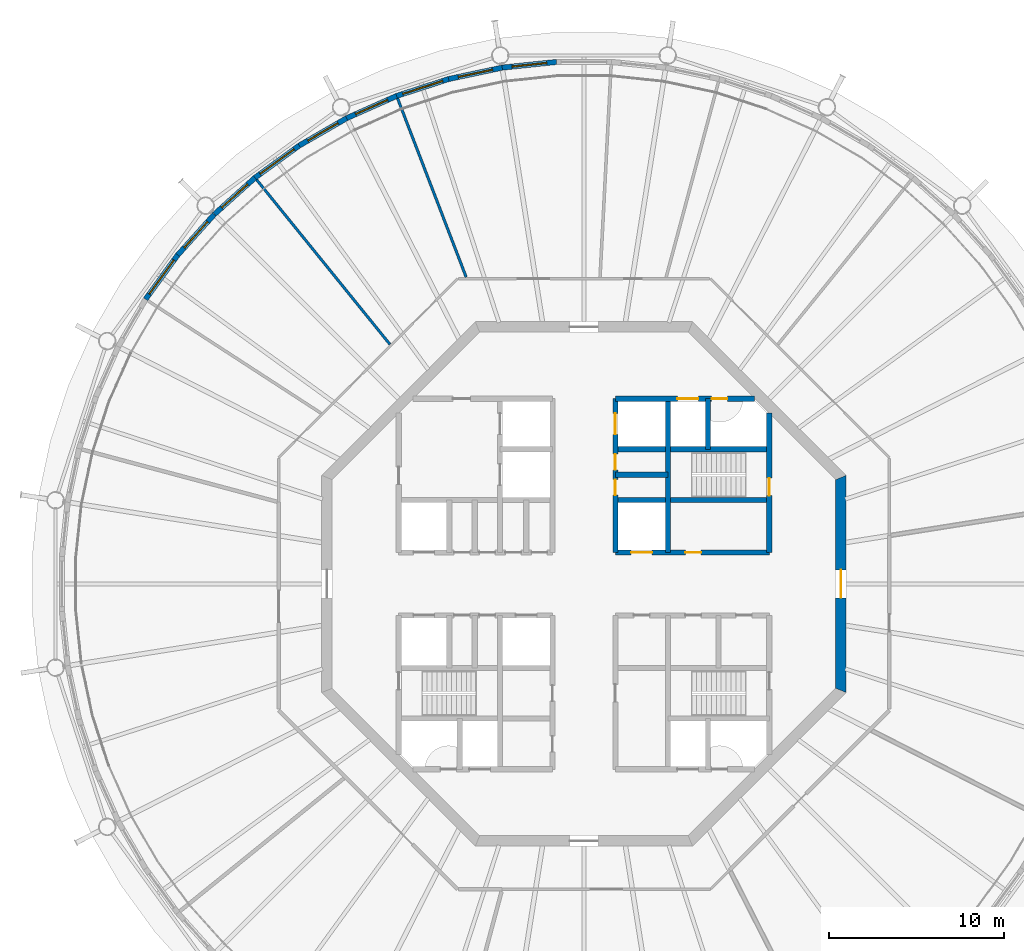
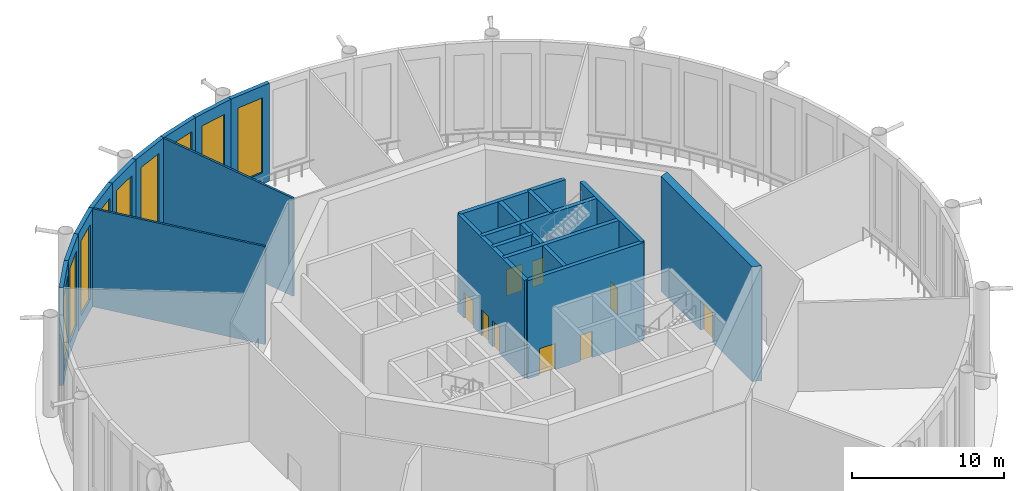
# One storey, part 7 of 17: 21 walls, 9 doors, 9 windows, 18 openings.
"""IFC4 building model written with IfcOpenShell, lengths in metres."""

from ifc_helpers import new_model, si_unit, direction, frame, frame_2d, origin, place, context, subcontext, project, spatial, polyline, rectangle, outline, extrude, material, layer, layer_set, type_object, element, fill, save


model = new_model("IFC4")

# Units and contexts
model_context = context("Model", 3, precision=1e-05, world=origin(), true_north=direction((0.0, 1.0)))
body_context = subcontext(model_context, "Body", "Model", "MODEL_VIEW")
ifc_project = project(units=[si_unit("LENGTHUNIT", "METRE"), si_unit("AREAUNIT", "SQUARE_METRE"), si_unit("VOLUMEUNIT", "CUBIC_METRE"), si_unit("PLANEANGLEUNIT", "RADIAN"), si_unit("MASSUNIT", "GRAM", prefix="KILO")], contexts=[model_context])

# Site, building, storey
site_placement = place(None, origin())
site = spatial("IfcSite", under=ifc_project, at=site_placement, CompositionType="ELEMENT")
building_placement = place(site_placement, origin())
building = spatial("IfcBuilding", under=site, at=building_placement, Name="Entoto Ring Tower", CompositionType="ELEMENT")
storey_placement = place(building_placement, frame((0.0, 0.0, 407.0)))
storey = spatial("IfcBuildingStorey", under=building, at=storey_placement, Name="L93", CompositionType="ELEMENT", Elevation=407.0)

# Wall, opening, door
ifc_material_1 = material(Name="Concrete C40/50", Category="concrete")
ifc_layer_1 = layer(ifc_material_1, 0.300048828125)
ifc_layer_set_1 = layer_set([ifc_layer_1], Name="Concrete C40/50")
wall_type_1 = type_object("IfcWallType", Name="Core enclosure wall 300 mm reinforced concrete", PredefinedType="SOLIDWALL", material=ifc_layer_set_1)
wall_1_placement = place(storey_placement, frame((100.60009765625, 81.800048828125, 0.0), z_axis=(0.0, 0.0, 1.0), x_axis=(0.0, 1.0, 0.0)))
wall_1 = element("IfcWall", 1, at=wall_1_placement, inside=storey, type_object=wall_type_1, Name="wall-L93-002", PredefinedType="SOLIDWALL", context=body_context, shape_type="SweptSolid", body=[
    extrude(rectangle(XDim=7.964599609375, YDim=0.300048828125, at=frame_2d((3.982421875, 0.0))), origin(), (0.0, 0.0, 1.0), 7.85009765625),
])
opening_1_placement = place(wall_1_placement, frame((3.25, 0.0, 0.0)))
opening_1 = element("IfcOpeningElement", 2, at=opening_1_placement, cuts=wall_1, Name="Opening K-28", PredefinedType="OPENING", context=body_context, shape_type="SweptSolid", body=[
    extrude(rectangle(XDim=1.0, YDim=2.10009765625, at=frame_2d((0.5, 1.050048828125))), frame((0.0, 0.16015625, 0.0), z_axis=(0.0, -1.0, 0.0), x_axis=(1.0, 0.0, 0.0)), (0.0, 0.0, 1.0), 0.320068359375),
])
ifc_material_2 = material(Name="Steel door leaf, fire rated", Category="steel")
ifc_layer_2 = layer(ifc_material_2, 0.050048828125)
ifc_layer_set_2 = layer_set([ifc_layer_2], Name="Steel door leaf, fire rated")
door_type_1 = type_object("IfcDoorType", Name="Fire door FD60 1000 x 2100 single leaf", OperationType="NOTDEFINED", PredefinedType="DOOR", material=ifc_layer_set_2)
door_1_placement = place(opening_1_placement, origin())
door_1 = element("IfcDoor", 3, at=door_1_placement, inside=storey, type_object=door_type_1, Name="Door K-28", OperationType="SINGLE_SWING_RIGHT", OverallHeight=2.10009765625, OverallWidth=1.0, PredefinedType="DOOR", context=body_context, shape_type="SweptSolid", body=[
    extrude(rectangle(XDim=1.0, YDim=2.10009765625, at=frame_2d((0.5, 1.050048828125))), frame((0.0, 0.02490234375, 0.0), z_axis=(0.0, -1.0, 0.0), x_axis=(1.0, 0.0, 0.0)), (0.0, 0.0, 1.0), 0.050048828125),
])
fill(opening_1, door_1)

# Walls
wall_2_placement = place(storey_placement, frame((97.10009765625, 87.699951171875, 0.0), z_axis=(0.0, 0.0, 1.0), x_axis=(0.0, 1.0, 0.0)))
element("IfcWall", 4, at=wall_2_placement, inside=storey, type_object=wall_type_1, Name="wall-L93-005", PredefinedType="SOLIDWALL", context=body_context, shape_type="SweptSolid", body=[
    extrude(rectangle(XDim=2.900146484375, YDim=0.300048828125, at=frame_2d((1.4501953125, 0.0))), origin(), (0.0, 0.0, 1.0), 7.85009765625),
])
wall_3_placement = place(storey_placement, frame((94.800048828125, 81.800048828125, 0.0), z_axis=(0.0, 0.0, 1.0), x_axis=(0.0, 1.0, 0.0)))
element("IfcWall", 5, at=wall_3_placement, inside=storey, type_object=wall_type_1, Name="wall-L93-007", PredefinedType="SOLIDWALL", context=body_context, shape_type="SweptSolid", body=[
    extrude(rectangle(XDim=8.800048828125, YDim=0.300048828125, at=frame_2d((4.39990234375, 0.0))), origin(), (0.0, 0.0, 1.0), 7.85009765625),
])

# Wall, openings, doors
wall_4_placement = place(storey_placement, frame((91.800048828125, 81.800048828125, 0.0), z_axis=(0.0, 0.0, 1.0), x_axis=(0.0, 1.0, 0.0)))
wall_4 = element("IfcWall", 6, at=wall_4_placement, inside=storey, type_object=wall_type_1, Name="wall-L93-009", PredefinedType="SOLIDWALL", context=body_context, shape_type="SweptSolid", body=[
    extrude(rectangle(XDim=8.800048828125, YDim=0.300048828125, at=frame_2d((4.39990234375, 0.0))), origin(), (0.0, 0.0, 1.0), 7.85009765625),
])
opening_2_placement = place(wall_4_placement, frame((6.75, 0.0, 0.0)))
opening_2 = element("IfcOpeningElement", 7, at=opening_2_placement, cuts=wall_4, Name="Opening LD", PredefinedType="OPENING", context=body_context, shape_type="SweptSolid", body=[
    extrude(rectangle(XDim=1.199951171875, YDim=2.10009765625, at=frame_2d((0.60009765625, 1.050048828125))), frame((0.0, 0.16015625, 0.0), z_axis=(0.0, -1.0, 0.0), x_axis=(1.0, 0.0, 0.0)), (0.0, 0.0, 1.0), 0.320068359375),
])
opening_3_placement = place(wall_4_placement, frame((3.27490234375, 0.0, 0.0)))
opening_3 = element("IfcOpeningElement", 8, at=opening_3_placement, cuts=wall_4, Name="Opening K-63", PredefinedType="OPENING", context=body_context, shape_type="SweptSolid", body=[
    extrude(rectangle(XDim=0.89990234375, YDim=2.10009765625, at=frame_2d((0.449951171875, 1.050048828125))), frame((0.0, 0.16015625, 0.0), z_axis=(0.0, -1.0, 0.0), x_axis=(1.0, 0.0, 0.0)), (0.0, 0.0, 1.0), 0.320068359375),
])
opening_4_placement = place(wall_4_placement, frame((4.72509765625, 0.0, 0.0)))
opening_4 = element("IfcOpeningElement", 9, at=opening_4_placement, cuts=wall_4, Name="Opening K-21", PredefinedType="OPENING", context=body_context, shape_type="SweptSolid", body=[
    extrude(rectangle(XDim=0.89990234375, YDim=2.10009765625, at=frame_2d((0.449951171875, 1.050048828125))), frame((0.0, 0.16015625, 0.0), z_axis=(0.0, -1.0, 0.0), x_axis=(1.0, 0.0, 0.0)), (0.0, 0.0, 1.0), 0.320068359375),
])
ifc_material_3 = material(Name="Steel door leaf, fire rated", Category="steel")
ifc_layer_3 = layer(ifc_material_3, 0.050048828125)
ifc_layer_set_3 = layer_set([ifc_layer_3], Name="Steel door leaf, fire rated")
door_type_2 = type_object("IfcDoorType", Name="Core door 900 x 2100 single leaf", OperationType="NOTDEFINED", PredefinedType="DOOR", material=ifc_layer_set_3)
door_2_placement = place(opening_3_placement, frame((0.89990234375, 0.0, 0.0), z_axis=(0.0, 0.0, 1.0), x_axis=(-1.0, 0.0, 0.0)))
door_2 = element("IfcDoor", 10, at=door_2_placement, inside=storey, type_object=door_type_2, Name="Door K-63", OperationType="SINGLE_SWING_LEFT", OverallHeight=2.10009765625, OverallWidth=0.89990234375, PredefinedType="DOOR", context=body_context, shape_type="SweptSolid", body=[
    extrude(rectangle(XDim=0.89990234375, YDim=2.10009765625, at=frame_2d((0.449951171875, 1.050048828125))), frame((0.0, 0.02490234375, 0.0), z_axis=(0.0, -1.0, 0.0), x_axis=(1.0, 0.0, 0.0)), (0.0, 0.0, 1.0), 0.050048828125),
])
fill(opening_3, door_2)
door_3_placement = place(opening_4_placement, origin())
door_3 = element("IfcDoor", 11, at=door_3_placement, inside=storey, type_object=door_type_2, Name="Door K-21", OperationType="SINGLE_SWING_RIGHT", OverallHeight=2.10009765625, OverallWidth=0.89990234375, PredefinedType="DOOR", context=body_context, shape_type="SweptSolid", body=[
    extrude(rectangle(XDim=0.89990234375, YDim=2.10009765625, at=frame_2d((0.449951171875, 1.050048828125))), frame((0.0, 0.02490234375, 0.0), z_axis=(0.0, -1.0, 0.0), x_axis=(1.0, 0.0, 0.0)), (0.0, 0.0, 1.0), 0.050048828125),
])
fill(opening_4, door_3)
ifc_material_4 = material(Name="Steel and glass door leaf", Category="steel")
ifc_layer_4 = layer(ifc_material_4, 0.050048828125)
ifc_layer_set_4 = layer_set([ifc_layer_4], Name="Steel and glass door leaf")
door_type_3 = type_object("IfcDoorType", Name="Landing door 1200 x 2100 sliding", OperationType="DOUBLE_DOOR_SLIDING", PredefinedType="DOOR", material=ifc_layer_set_4)
door_4_placement = place(opening_2_placement, origin())
door_4 = element("IfcDoor", 12, at=door_4_placement, inside=storey, type_object=door_type_3, Name="Landing door SH3", OperationType="SLIDING_TO_RIGHT", OverallHeight=2.10009765625, OverallWidth=1.199951171875, PredefinedType="DOOR", context=body_context, shape_type="SweptSolid", body=[
    extrude(rectangle(XDim=1.199951171875, YDim=2.10009765625, at=frame_2d((0.60009765625, 1.050048828125))), frame((0.0, 0.02490234375, 0.0), z_axis=(0.0, -1.0, 0.0), x_axis=(1.0, 0.0, 0.0)), (0.0, 0.0, 1.0), 0.050048828125),
])
fill(opening_2, door_4)

wall_5_placement = place(storey_placement, frame((91.800048828125, 81.800048828125, 0.0), z_axis=(0.0, 0.0, 1.0), x_axis=(1.0, 0.0, 0.0)))
wall_5 = element("IfcWall", 13, at=wall_5_placement, inside=storey, type_object=wall_type_1, Name="wall-L93-031", PredefinedType="SOLIDWALL", context=body_context, shape_type="SweptSolid", body=[
    extrude(rectangle(XDim=8.800048828125, YDim=0.300048828125, at=frame_2d((4.39990234375, 0.0))), origin(), (0.0, 0.0, 1.0), 7.85009765625),
])
opening_5_placement = place(wall_5_placement, frame((0.89990234375, 0.0, 0.0)))
opening_5 = element("IfcOpeningElement", 14, at=opening_5_placement, cuts=wall_5, Name="Opening LD", PredefinedType="OPENING", context=body_context, shape_type="SweptSolid", body=[
    extrude(rectangle(XDim=1.199951171875, YDim=2.10009765625, at=frame_2d((0.60009765625, 1.050048828125))), frame((0.0, 0.16015625, 0.0), z_axis=(0.0, -1.0, 0.0), x_axis=(1.0, 0.0, 0.0)), (0.0, 0.0, 1.0), 0.320068359375),
])
opening_6_placement = place(wall_5_placement, frame((4.0, 0.0, 0.0)))
opening_6 = element("IfcOpeningElement", 15, at=opening_6_placement, cuts=wall_5, Name="Opening K-46", PredefinedType="OPENING", context=body_context, shape_type="SweptSolid", body=[
    extrude(rectangle(XDim=0.89990234375, YDim=2.10009765625, at=frame_2d((0.449951171875, 1.050048828125))), frame((0.0, 0.16015625, 0.0), z_axis=(0.0, -1.0, 0.0), x_axis=(1.0, 0.0, 0.0)), (0.0, 0.0, 1.0), 0.320068359375),
])
door_5_placement = place(opening_6_placement, origin())
door_5 = element("IfcDoor", 16, at=door_5_placement, inside=storey, type_object=door_type_2, Name="Door K-46", OperationType="SINGLE_SWING_LEFT", OverallHeight=2.10009765625, OverallWidth=0.89990234375, PredefinedType="DOOR", context=body_context, shape_type="SweptSolid", body=[
    extrude(rectangle(XDim=0.89990234375, YDim=2.10009765625, at=frame_2d((0.449951171875, 1.050048828125))), frame((0.0, 0.02490234375, 0.0), z_axis=(0.0, -1.0, 0.0), x_axis=(1.0, 0.0, 0.0)), (0.0, 0.0, 1.0), 0.050048828125),
])
fill(opening_6, door_5)
door_6_placement = place(opening_5_placement, origin())
door_6 = element("IfcDoor", 17, at=door_6_placement, inside=storey, type_object=door_type_3, Name="Landing door OB1", OperationType="SLIDING_TO_LEFT", OverallHeight=2.10009765625, OverallWidth=1.199951171875, PredefinedType="DOOR", context=body_context, shape_type="SweptSolid", body=[
    extrude(rectangle(XDim=1.199951171875, YDim=2.10009765625, at=frame_2d((0.60009765625, 1.050048828125))), frame((0.0, 0.02490234375, 0.0), z_axis=(0.0, -1.0, 0.0), x_axis=(1.0, 0.0, 0.0)), (0.0, 0.0, 1.0), 0.050048828125),
])
fill(opening_5, door_6)

# Walls
wall_6_placement = place(storey_placement, frame((91.800048828125, 84.800048828125, 0.0), z_axis=(0.0, 0.0, 1.0), x_axis=(1.0, 0.0, 0.0)))
element("IfcWall", 18, at=wall_6_placement, inside=storey, type_object=wall_type_1, Name="wall-L93-033", PredefinedType="SOLIDWALL", context=body_context, shape_type="SweptSolid", body=[
    extrude(rectangle(XDim=8.800048828125, YDim=0.300048828125, at=frame_2d((4.39990234375, 0.0))), origin(), (0.0, 0.0, 1.0), 7.85009765625),
])
wall_7_placement = place(storey_placement, frame((91.800048828125, 86.25, 0.0), z_axis=(0.0, 0.0, 1.0), x_axis=(1.0, 0.0, 0.0)))
element("IfcWall", 19, at=wall_7_placement, inside=storey, type_object=wall_type_1, Name="wall-L93-034", PredefinedType="SOLIDWALL", context=body_context, shape_type="SweptSolid", body=[
    extrude(rectangle(XDim=3.0, YDim=0.300048828125, at=frame_2d((1.5, 0.0))), origin(), (0.0, 0.0, 1.0), 7.85009765625),
])
wall_8_placement = place(storey_placement, frame((91.800048828125, 87.699951171875, 0.0), z_axis=(0.0, 0.0, 1.0), x_axis=(1.0, 0.0, 0.0)))
element("IfcWall", 20, at=wall_8_placement, inside=storey, type_object=wall_type_1, Name="wall-L93-036", PredefinedType="SOLIDWALL", context=body_context, shape_type="SweptSolid", body=[
    extrude(rectangle(XDim=8.800048828125, YDim=0.300048828125, at=frame_2d((4.39990234375, 0.0))), origin(), (0.0, 0.0, 1.0), 7.85009765625),
])

# Wall, openings, doors
wall_9_placement = place(storey_placement, frame((91.800048828125, 90.60009765625, 0.0), z_axis=(0.0, 0.0, 1.0), x_axis=(1.0, 0.0, 0.0)))
wall_9 = element("IfcWall", 21, at=wall_9_placement, inside=storey, type_object=wall_type_1, Name="wall-L93-038", PredefinedType="SOLIDWALL", context=body_context, shape_type="SweptSolid", body=[
    extrude(rectangle(XDim=7.964599609375, YDim=0.300048828125, at=frame_2d((3.982421875, 0.0))), origin(), (0.0, 0.0, 1.0), 7.85009765625),
])
opening_7_placement = place(wall_9_placement, frame((3.550048828125, 0.0, 0.0)))
opening_7 = element("IfcOpeningElement", 22, at=opening_7_placement, cuts=wall_9, Name="Opening LD", PredefinedType="OPENING", context=body_context, shape_type="SweptSolid", body=[
    extrude(rectangle(XDim=1.199951171875, YDim=2.10009765625, at=frame_2d((0.60009765625, 1.050048828125))), frame((0.0, 0.16015625, 0.0), z_axis=(0.0, -1.0, 0.0), x_axis=(1.0, 0.0, 0.0)), (0.0, 0.0, 1.0), 0.320068359375),
])
opening_8_placement = place(wall_9_placement, frame((5.5, 0.0, 0.0)))
opening_8 = element("IfcOpeningElement", 23, at=opening_8_placement, cuts=wall_9, Name="Opening K-85", PredefinedType="OPENING", context=body_context, shape_type="SweptSolid", body=[
    extrude(rectangle(XDim=0.89990234375, YDim=2.10009765625, at=frame_2d((0.449951171875, 1.050048828125))), frame((0.0, 0.16015625, 0.0), z_axis=(0.0, -1.0, 0.0), x_axis=(1.0, 0.0, 0.0)), (0.0, 0.0, 1.0), 0.320068359375),
])
door_7_placement = place(opening_7_placement, origin())
door_7 = element("IfcDoor", 24, at=door_7_placement, inside=storey, type_object=door_type_3, Name="Landing door LB1-HR", OperationType="SLIDING_TO_RIGHT", OverallHeight=2.10009765625, OverallWidth=1.199951171875, PredefinedType="DOOR", context=body_context, shape_type="SweptSolid", body=[
    extrude(rectangle(XDim=1.199951171875, YDim=2.10009765625, at=frame_2d((0.60009765625, 1.050048828125))), frame((0.0, 0.02490234375, 0.0), z_axis=(0.0, -1.0, 0.0), x_axis=(1.0, 0.0, 0.0)), (0.0, 0.0, 1.0), 0.050048828125),
])
fill(opening_7, door_7)
ifc_material_5 = material(Name="Steel door leaf, fire rated", Category="steel")
ifc_layer_5 = layer(ifc_material_5, 0.050048828125)
ifc_layer_set_5 = layer_set([ifc_layer_5], Name="Steel door leaf, fire rated")
door_type_4 = type_object("IfcDoorType", Name="Riser door FD60 900 x 2100 single leaf", OperationType="NOTDEFINED", PredefinedType="DOOR", material=ifc_layer_set_5)
door_8_placement = place(opening_8_placement, frame((0.89990234375, 0.0, 0.0), z_axis=(0.0, 0.0, 1.0), x_axis=(-1.0, 0.0, 0.0)))
door_8 = element("IfcDoor", 25, at=door_8_placement, inside=storey, type_object=door_type_4, Name="Door K-85", OperationType="SINGLE_SWING_LEFT", OverallHeight=2.10009765625, OverallWidth=0.89990234375, PredefinedType="DOOR", context=body_context, shape_type="SweptSolid", body=[
    extrude(rectangle(XDim=0.89990234375, YDim=2.10009765625, at=frame_2d((0.449951171875, 1.050048828125))), frame((0.0, 0.02490234375, 0.0), z_axis=(0.0, -1.0, 0.0), x_axis=(1.0, 0.0, 0.0)), (0.0, 0.0, 1.0), 0.050048828125),
])
fill(opening_8, door_8)

# Wall, opening, door
ifc_material_6 = material(Name="Concrete C40/50", Category="concrete")
ifc_layer_6 = layer(ifc_material_6, 0.60009765625)
ifc_layer_set_6 = layer_set([ifc_layer_6], Name="Concrete C40/50")
wall_type_2 = type_object("IfcWallType", Name="Core shear wall 600 mm reinforced concrete C40/50 to roof parapet", PredefinedType="SHEAR", material=ifc_layer_set_6)
wall_10_placement = place(storey_placement, frame((104.699951171875, 73.9111328125, 0.0), z_axis=(0.0, 0.0, 1.0), x_axis=(0.0, 1.0, 0.0)))
wall_10 = element("IfcWall", 26, at=wall_10_placement, inside=storey, type_object=wall_type_2, Name="wall-L93-core-0", PredefinedType="SHEAR", context=body_context, shape_type="SweptSolid", body=[
    extrude(outline(polyline([(-0.124267578125, -0.300048828125), (12.302001953125, -0.300048828125), (12.053466796875, 0.300048828125), (0.124267578125, 0.300048828125), (-0.124267578125, -0.300048828125)])), origin(), (0.0, 0.0, 1.0), 9.199951171875),
])
opening_9_placement = place(wall_10_placement, frame((5.288818359375, 0.0, 0.0)))
opening_9 = element("IfcOpeningElement", 27, at=opening_9_placement, cuts=wall_10, Name="Opening K-01", PredefinedType="OPENING", context=body_context, shape_type="SweptSolid", body=[
    extrude(rectangle(XDim=1.60009765625, YDim=2.39990234375, at=frame_2d((0.800048828125, 1.199951171875))), frame((0.0, 0.31005859375, 0.0), z_axis=(0.0, -1.0, 0.0), x_axis=(1.0, 0.0, 0.0)), (0.0, 0.0, 1.0), 0.6201171875),
])
ifc_material_7 = material(Name="Steel door leaf, fire rated", Category="steel")
ifc_layer_7 = layer(ifc_material_7, 0.050048828125)
ifc_layer_set_7 = layer_set([ifc_layer_7], Name="Steel door leaf, fire rated")
door_type_5 = type_object("IfcDoorType", Name="Entrance door FD60 1600 x 2400 double leaf", OperationType="DOUBLE_DOOR_SINGLE_SWING", PredefinedType="DOOR", material=ifc_layer_set_7)
door_9_placement = place(opening_9_placement, origin())
door_9 = element("IfcDoor", 28, at=door_9_placement, inside=storey, type_object=door_type_5, Name="Entrance door K-01", OperationType="DOUBLE_DOOR_SINGLE_SWING", OverallHeight=2.39990234375, OverallWidth=1.60009765625, PredefinedType="DOOR", context=body_context, shape_type="SweptSolid", body=[
    extrude(rectangle(XDim=1.60009765625, YDim=2.39990234375, at=frame_2d((0.800048828125, 1.199951171875))), frame((0.0, 0.02490234375, 0.0), z_axis=(0.0, -1.0, 0.0), x_axis=(1.0, 0.0, 0.0)), (0.0, 0.0, 1.0), 0.050048828125),
])
fill(opening_9, door_9)

# Wall, opening, window
ifc_material_8 = material(Name="Insulated aluminium rainscreen on steel studs", Category="steel")
ifc_layer_8 = layer(ifc_material_8, 0.300048828125)
ifc_layer_set_8 = layer_set([ifc_layer_8], Name="Insulated aluminium rainscreen on steel studs")
wall_type_3 = type_object("IfcWallType", Name="Observation facade wall 300 mm", PredefinedType="STANDARD", material=ifc_layer_set_8)
wall_11_placement = place(storey_placement, frame((88.43505859375, 109.859130859375, 0.0), z_axis=(0.0, 0.0, 1.0), x_axis=(-0.994521683674, -0.10453047738, 0.0)))
wall_11 = element("IfcWall", 29, at=wall_11_placement, inside=storey, type_object=wall_type_3, Name="OBSERVATION WALL 14", PredefinedType="STANDARD", context=body_context, shape_type="SweptSolid", body=[
    extrude(outline(polyline([(-0.0078125, -0.14990234375), (3.137451171875, -0.14990234375), (3.121826171875, 0.14990234375), (0.0078125, 0.14990234375), (-0.0078125, -0.14990234375)])), origin(), (0.0, 0.0, 1.0), 7.85009765625),
])
opening_10_placement = place(wall_11_placement, frame((0.56494140625, 0.0, 0.89990234375)))
opening_10 = element("IfcOpeningElement", 30, at=opening_10_placement, cuts=wall_11, Name="Opening W2", PredefinedType="OPENING", context=body_context, shape_type="SweptSolid", body=[
    extrude(rectangle(XDim=2.0, YDim=6.0, at=frame_2d((1.0, 3.0))), frame((0.0, 0.16015625, 0.0), z_axis=(0.0, -1.0, 0.0), x_axis=(1.0, 0.0, 0.0)), (0.0, 0.0, 1.0), 0.320068359375),
])
ifc_material_9 = material(Name="Clear low-iron glass in anodised aluminium frame", Category="aluminium")
window_type_1 = type_object("IfcWindowType", Name="Observation window W2 2000 x 6000 mm fixed", PartitioningType="SINGLE_PANEL", PredefinedType="WINDOW", material=ifc_material_9)
window_1_placement = place(opening_10_placement, origin())
window_1 = element("IfcWindow", 31, at=window_1_placement, inside=storey, type_object=window_type_1, Name="OBSERVATION WINDOW 14", OverallHeight=6.0, OverallWidth=2.0, PartitioningType="SINGLE_PANEL", PredefinedType="WINDOW", context=body_context, shape_type="SweptSolid", body=[
    extrude(rectangle(XDim=2.0, YDim=6.0, at=frame_2d((1.0, 3.0))), frame((0.0, 0.030029296875, 0.0), z_axis=(0.0, -1.0, 0.0), x_axis=(1.0, 0.0, 0.0)), (0.0, 0.0, 1.0), 0.06005859375),
])
fill(opening_10, window_1)

wall_12_placement = place(storey_placement, frame((85.322509765625, 109.531982421875, 0.0), z_axis=(0.0, 0.0, 1.0), x_axis=(-0.978135649005, -0.207967911336, 0.0)))
wall_12 = element("IfcWall", 32, at=wall_12_placement, inside=storey, type_object=wall_type_3, Name="OBSERVATION WALL 15", PredefinedType="STANDARD", context=body_context, shape_type="SweptSolid", body=[
    extrude(outline(polyline([(-0.0078125, -0.14990234375), (3.137451171875, -0.14990234375), (3.121826171875, 0.14990234375), (0.0078125, 0.14990234375), (-0.0078125, -0.14990234375)])), origin(), (0.0, 0.0, 1.0), 7.85009765625),
])
opening_11_placement = place(wall_12_placement, frame((0.56494140625, 0.0, 0.89990234375)))
opening_11 = element("IfcOpeningElement", 33, at=opening_11_placement, cuts=wall_12, Name="Opening W2", PredefinedType="OPENING", context=body_context, shape_type="SweptSolid", body=[
    extrude(rectangle(XDim=2.0, YDim=6.0, at=frame_2d((1.0, 3.0))), frame((0.0, 0.16015625, 0.0), z_axis=(0.0, -1.0, 0.0), x_axis=(1.0, 0.0, 0.0)), (0.0, 0.0, 1.0), 0.320068359375),
])
window_2_placement = place(opening_11_placement, origin())
window_2 = element("IfcWindow", 34, at=window_2_placement, inside=storey, type_object=window_type_1, Name="OBSERVATION WINDOW 15", OverallHeight=6.0, OverallWidth=2.0, PartitioningType="SINGLE_PANEL", PredefinedType="WINDOW", context=body_context, shape_type="SweptSolid", body=[
    extrude(rectangle(XDim=2.0, YDim=6.0, at=frame_2d((1.0, 3.0))), frame((0.0, 0.030029296875, 0.0), z_axis=(0.0, -1.0, 0.0), x_axis=(1.0, 0.0, 0.0)), (0.0, 0.0, 1.0), 0.06005859375),
])
fill(opening_11, window_2)

wall_13_placement = place(storey_placement, frame((82.26123046875, 108.881103515625, 0.0), z_axis=(0.0, 0.0, 1.0), x_axis=(-0.951058717696, -0.309010219079, 0.0)))
wall_13 = element("IfcWall", 35, at=wall_13_placement, inside=storey, type_object=wall_type_3, Name="OBSERVATION WALL 16", PredefinedType="STANDARD", context=body_context, shape_type="SweptSolid", body=[
    extrude(outline(polyline([(-0.0078125, -0.14990234375), (3.13720703125, -0.14990234375), (3.12158203125, 0.14990234375), (0.0078125, 0.14990234375), (-0.0078125, -0.14990234375)])), origin(), (0.0, 0.0, 1.0), 7.85009765625),
])
opening_12_placement = place(wall_13_placement, frame((0.36474609375, 0.0, 0.89990234375)))
opening_12 = element("IfcOpeningElement", 36, at=opening_12_placement, cuts=wall_13, Name="Opening W1", PredefinedType="OPENING", context=body_context, shape_type="SweptSolid", body=[
    extrude(rectangle(XDim=2.39990234375, YDim=6.0, at=frame_2d((1.199951171875, 3.0))), frame((0.0, 0.16015625, 0.0), z_axis=(0.0, -1.0, 0.0), x_axis=(1.0, 0.0, 0.0)), (0.0, 0.0, 1.0), 0.320068359375),
])
ifc_material_10 = material(Name="Clear low-iron glass in anodised aluminium frame", Category="aluminium")
window_type_2 = type_object("IfcWindowType", Name="Observation window W1 2400 x 6000 mm fixed", PartitioningType="SINGLE_PANEL", PredefinedType="WINDOW", material=ifc_material_10)
window_3_placement = place(opening_12_placement, origin())
window_3 = element("IfcWindow", 37, at=window_3_placement, inside=storey, type_object=window_type_2, Name="OBSERVATION WINDOW 16", OverallHeight=6.0, OverallWidth=2.39990234375, PartitioningType="SINGLE_PANEL", PredefinedType="WINDOW", context=body_context, shape_type="SweptSolid", body=[
    extrude(rectangle(XDim=2.39990234375, YDim=6.0, at=frame_2d((1.199951171875, 3.0))), frame((0.0, 0.030029296875, 0.0), z_axis=(0.0, -1.0, 0.0), x_axis=(1.0, 0.0, 0.0)), (0.0, 0.0, 1.0), 0.06005859375),
])
fill(opening_12, window_3)

wall_14_placement = place(storey_placement, frame((79.284912109375, 107.9140625, 0.0), z_axis=(0.0, 0.0, 1.0), x_axis=(-0.913547577445, -0.406731881889, 0.0)))
wall_14 = element("IfcWall", 38, at=wall_14_placement, inside=storey, type_object=wall_type_3, Name="OBSERVATION WALL 17", PredefinedType="STANDARD", context=body_context, shape_type="SweptSolid", body=[
    extrude(outline(polyline([(-0.0078125, -0.14990234375), (3.137451171875, -0.14990234375), (3.121826171875, 0.14990234375), (0.0078125, 0.14990234375), (-0.0078125, -0.14990234375)])), origin(), (0.0, 0.0, 1.0), 7.85009765625),
])
opening_13_placement = place(wall_14_placement, frame((0.56494140625, 0.0, 0.89990234375)))
opening_13 = element("IfcOpeningElement", 39, at=opening_13_placement, cuts=wall_14, Name="Opening W2", PredefinedType="OPENING", context=body_context, shape_type="SweptSolid", body=[
    extrude(rectangle(XDim=2.0, YDim=6.0, at=frame_2d((1.0, 3.0))), frame((0.0, 0.16015625, 0.0), z_axis=(0.0, -1.0, 0.0), x_axis=(1.0, 0.0, 0.0)), (0.0, 0.0, 1.0), 0.320068359375),
])
window_4_placement = place(opening_13_placement, origin())
window_4 = element("IfcWindow", 40, at=window_4_placement, inside=storey, type_object=window_type_1, Name="OBSERVATION WINDOW 17", OverallHeight=6.0, OverallWidth=2.0, PartitioningType="SINGLE_PANEL", PredefinedType="WINDOW", context=body_context, shape_type="SweptSolid", body=[
    extrude(rectangle(XDim=2.0, YDim=6.0, at=frame_2d((1.0, 3.0))), frame((0.0, 0.030029296875, 0.0), z_axis=(0.0, -1.0, 0.0), x_axis=(1.0, 0.0, 0.0)), (0.0, 0.0, 1.0), 0.06005859375),
])
fill(opening_13, window_4)

wall_15_placement = place(storey_placement, frame((76.42578125, 106.64111328125, 0.0), z_axis=(0.0, 0.0, 1.0), x_axis=(-0.866016712352, -0.5000150537, 0.0)))
wall_15 = element("IfcWall", 41, at=wall_15_placement, inside=storey, type_object=wall_type_3, Name="OBSERVATION WALL 18", PredefinedType="STANDARD", context=body_context, shape_type="SweptSolid", body=[
    extrude(outline(polyline([(-0.0078125, -0.14990234375), (3.1376953125, -0.14990234375), (3.1220703125, 0.14990234375), (0.0078125, 0.14990234375), (-0.0078125, -0.14990234375)])), origin(), (0.0, 0.0, 1.0), 7.85009765625),
])
opening_14_placement = place(wall_15_placement, frame((0.56494140625, 0.0, 0.89990234375)))
opening_14 = element("IfcOpeningElement", 42, at=opening_14_placement, cuts=wall_15, Name="Opening W2", PredefinedType="OPENING", context=body_context, shape_type="SweptSolid", body=[
    extrude(rectangle(XDim=2.0, YDim=6.0, at=frame_2d((1.0, 3.0))), frame((0.0, 0.16015625, 0.0), z_axis=(0.0, -1.0, 0.0), x_axis=(1.0, 0.0, 0.0)), (0.0, 0.0, 1.0), 0.320068359375),
])
window_5_placement = place(opening_14_placement, origin())
window_5 = element("IfcWindow", 43, at=window_5_placement, inside=storey, type_object=window_type_1, Name="OBSERVATION WINDOW 18", OverallHeight=6.0, OverallWidth=2.0, PartitioningType="SINGLE_PANEL", PredefinedType="WINDOW", context=body_context, shape_type="SweptSolid", body=[
    extrude(rectangle(XDim=2.0, YDim=6.0, at=frame_2d((1.0, 3.0))), frame((0.0, 0.030029296875, 0.0), z_axis=(0.0, -1.0, 0.0), x_axis=(1.0, 0.0, 0.0)), (0.0, 0.0, 1.0), 0.06005859375),
])
fill(opening_14, window_5)

wall_16_placement = place(storey_placement, frame((73.71533203125, 105.076171875, 0.0), z_axis=(0.0, 0.0, 1.0), x_axis=(-0.809015976417, -0.587786653389, 0.0)))
wall_16 = element("IfcWall", 44, at=wall_16_placement, inside=storey, type_object=wall_type_3, Name="OBSERVATION WALL 19", PredefinedType="STANDARD", context=body_context, shape_type="SweptSolid", body=[
    extrude(outline(polyline([(-0.0078125, -0.14990234375), (3.137451171875, -0.14990234375), (3.121826171875, 0.14990234375), (0.0078125, 0.14990234375), (-0.0078125, -0.14990234375)])), origin(), (0.0, 0.0, 1.0), 7.85009765625),
])
opening_15_placement = place(wall_16_placement, frame((0.36474609375, 0.0, 0.89990234375)))
opening_15 = element("IfcOpeningElement", 45, at=opening_15_placement, cuts=wall_16, Name="Opening W1", PredefinedType="OPENING", context=body_context, shape_type="SweptSolid", body=[
    extrude(rectangle(XDim=2.39990234375, YDim=6.0, at=frame_2d((1.199951171875, 3.0))), frame((0.0, 0.16015625, 0.0), z_axis=(0.0, -1.0, 0.0), x_axis=(1.0, 0.0, 0.0)), (0.0, 0.0, 1.0), 0.320068359375),
])
window_6_placement = place(opening_15_placement, origin())
window_6 = element("IfcWindow", 46, at=window_6_placement, inside=storey, type_object=window_type_2, Name="OBSERVATION WINDOW 19", OverallHeight=6.0, OverallWidth=2.39990234375, PartitioningType="SINGLE_PANEL", PredefinedType="WINDOW", context=body_context, shape_type="SweptSolid", body=[
    extrude(rectangle(XDim=2.39990234375, YDim=6.0, at=frame_2d((1.199951171875, 3.0))), frame((0.0, 0.030029296875, 0.0), z_axis=(0.0, -1.0, 0.0), x_axis=(1.0, 0.0, 0.0)), (0.0, 0.0, 1.0), 0.06005859375),
])
fill(opening_15, window_6)

wall_17_placement = place(storey_placement, frame((71.183349609375, 103.236572265625, 0.0), z_axis=(0.0, 0.0, 1.0), x_axis=(-0.743189407153, -0.669081090075, 0.0)))
wall_17 = element("IfcWall", 47, at=wall_17_placement, inside=storey, type_object=wall_type_3, Name="OBSERVATION WALL 20", PredefinedType="STANDARD", context=body_context, shape_type="SweptSolid", body=[
    extrude(outline(polyline([(-0.0078125, -0.14990234375), (3.137451171875, -0.14990234375), (3.121826171875, 0.14990234375), (0.0078125, 0.14990234375), (-0.0078125, -0.14990234375)])), origin(), (0.0, 0.0, 1.0), 7.85009765625),
])
opening_16_placement = place(wall_17_placement, frame((0.56494140625, 0.0, 0.89990234375)))
opening_16 = element("IfcOpeningElement", 48, at=opening_16_placement, cuts=wall_17, Name="Opening W2", PredefinedType="OPENING", context=body_context, shape_type="SweptSolid", body=[
    extrude(rectangle(XDim=2.0, YDim=6.0, at=frame_2d((1.0, 3.0))), frame((0.0, 0.16015625, 0.0), z_axis=(0.0, -1.0, 0.0), x_axis=(1.0, 0.0, 0.0)), (0.0, 0.0, 1.0), 0.320068359375),
])
window_7_placement = place(opening_16_placement, origin())
window_7 = element("IfcWindow", 49, at=window_7_placement, inside=storey, type_object=window_type_1, Name="OBSERVATION WINDOW 20", OverallHeight=6.0, OverallWidth=2.0, PartitioningType="SINGLE_PANEL", PredefinedType="WINDOW", context=body_context, shape_type="SweptSolid", body=[
    extrude(rectangle(XDim=2.0, YDim=6.0, at=frame_2d((1.0, 3.0))), frame((0.0, 0.030029296875, 0.0), z_axis=(0.0, -1.0, 0.0), x_axis=(1.0, 0.0, 0.0)), (0.0, 0.0, 1.0), 0.06005859375),
])
fill(opening_16, window_7)

wall_18_placement = place(storey_placement, frame((68.857421875, 101.142578125, 0.0), z_axis=(0.0, 0.0, 1.0), x_axis=(-0.669081090075, -0.743189407153, 0.0)))
wall_18 = element("IfcWall", 50, at=wall_18_placement, inside=storey, type_object=wall_type_3, Name="OBSERVATION WALL 21", PredefinedType="STANDARD", context=body_context, shape_type="SweptSolid", body=[
    extrude(outline(polyline([(-0.0078125, -0.14990234375), (3.137451171875, -0.14990234375), (3.121826171875, 0.14990234375), (0.0078125, 0.14990234375), (-0.0078125, -0.14990234375)])), origin(), (0.0, 0.0, 1.0), 7.85009765625),
])
opening_17_placement = place(wall_18_placement, frame((0.56494140625, 0.0, 0.89990234375)))
opening_17 = element("IfcOpeningElement", 51, at=opening_17_placement, cuts=wall_18, Name="Opening W2", PredefinedType="OPENING", context=body_context, shape_type="SweptSolid", body=[
    extrude(rectangle(XDim=2.0, YDim=6.0, at=frame_2d((1.0, 3.0))), frame((0.0, 0.16015625, 0.0), z_axis=(0.0, -1.0, 0.0), x_axis=(1.0, 0.0, 0.0)), (0.0, 0.0, 1.0), 0.320068359375),
])
window_8_placement = place(opening_17_placement, origin())
window_8 = element("IfcWindow", 52, at=window_8_placement, inside=storey, type_object=window_type_1, Name="OBSERVATION WINDOW 21", OverallHeight=6.0, OverallWidth=2.0, PartitioningType="SINGLE_PANEL", PredefinedType="WINDOW", context=body_context, shape_type="SweptSolid", body=[
    extrude(rectangle(XDim=2.0, YDim=6.0, at=frame_2d((1.0, 3.0))), frame((0.0, 0.030029296875, 0.0), z_axis=(0.0, -1.0, 0.0), x_axis=(1.0, 0.0, 0.0)), (0.0, 0.0, 1.0), 0.06005859375),
])
fill(opening_17, window_8)

wall_19_placement = place(storey_placement, frame((66.763427734375, 98.816650390625, 0.0), z_axis=(0.0, 0.0, 1.0), x_axis=(-0.587786653389, -0.809015976417, 0.0)))
wall_19 = element("IfcWall", 53, at=wall_19_placement, inside=storey, type_object=wall_type_3, Name="OBSERVATION WALL 22", PredefinedType="STANDARD", context=body_context, shape_type="SweptSolid", body=[
    extrude(outline(polyline([(-0.0078125, -0.14990234375), (3.137451171875, -0.14990234375), (3.121826171875, 0.14990234375), (0.0078125, 0.14990234375), (-0.0078125, -0.14990234375)])), origin(), (0.0, 0.0, 1.0), 7.85009765625),
])
opening_18_placement = place(wall_19_placement, frame((0.36474609375, 0.0, 0.89990234375)))
opening_18 = element("IfcOpeningElement", 54, at=opening_18_placement, cuts=wall_19, Name="Opening W1", PredefinedType="OPENING", context=body_context, shape_type="SweptSolid", body=[
    extrude(rectangle(XDim=2.39990234375, YDim=6.0, at=frame_2d((1.199951171875, 3.0))), frame((0.0, 0.16015625, 0.0), z_axis=(0.0, -1.0, 0.0), x_axis=(1.0, 0.0, 0.0)), (0.0, 0.0, 1.0), 0.320068359375),
])
window_9_placement = place(opening_18_placement, origin())
window_9 = element("IfcWindow", 55, at=window_9_placement, inside=storey, type_object=window_type_2, Name="OBSERVATION WINDOW 22", OverallHeight=6.0, OverallWidth=2.39990234375, PartitioningType="SINGLE_PANEL", PredefinedType="WINDOW", context=body_context, shape_type="SweptSolid", body=[
    extrude(rectangle(XDim=2.39990234375, YDim=6.0, at=frame_2d((1.199951171875, 3.0))), frame((0.0, 0.030029296875, 0.0), z_axis=(0.0, -1.0, 0.0), x_axis=(1.0, 0.0, 0.0)), (0.0, 0.0, 1.0), 0.06005859375),
])
fill(opening_18, window_9)

# Walls
ifc_material_11 = material(Name="Fire-resisting acoustic plasterboard on steel studs", Category="steel")
ifc_layer_9 = layer(ifc_material_11, 0.14990234375)
ifc_layer_set_9 = layer_set([ifc_layer_9], Name="Fire-resisting acoustic plasterboard on steel studs")
wall_type_4 = type_object("IfcWallType", Name="Party wall 150 mm one-hour acoustic plasterboard on steel studs", PredefinedType="PARTITIONING", material=ifc_layer_set_9)
wall_20_placement = place(storey_placement, frame((78.905517578125, 93.70068359375, 0.0), z_axis=(0.0, 0.0, 1.0), x_axis=(-0.6293203083, 0.777146028467, 0.0)))
element("IfcWall", 56, at=wall_20_placement, inside=storey, type_object=wall_type_4, Name="partition-L93-009", PredefinedType="PARTITIONING", context=body_context, shape_type="SweptSolid", body=[
    extrude(rectangle(XDim=12.310546875, YDim=0.14990234375, at=frame_2d((6.1552734375, 0.0))), origin(), (0.0, 0.0, 1.0), 7.85009765625),
])
wall_21_placement = place(storey_placement, frame((83.262451171875, 97.5517578125, 0.0), z_axis=(0.0, 0.0, 1.0), x_axis=(-0.358359233301, 0.933583772303, 0.0)))
element("IfcWall", 57, at=wall_21_placement, inside=storey, type_object=wall_type_4, Name="partition-L93-013", PredefinedType="PARTITIONING", context=body_context, shape_type="SweptSolid", body=[
    extrude(rectangle(XDim=11.139404296875, YDim=0.14990234375, at=frame_2d((5.56982421875, 0.0))), origin(), (0.0, 0.0, 1.0), 7.85009765625),
])

save(model, "model.ifc")
